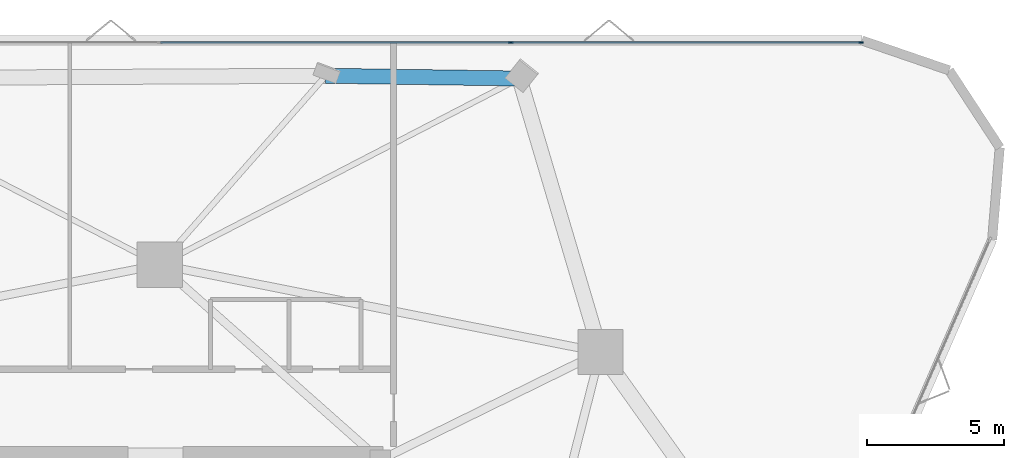
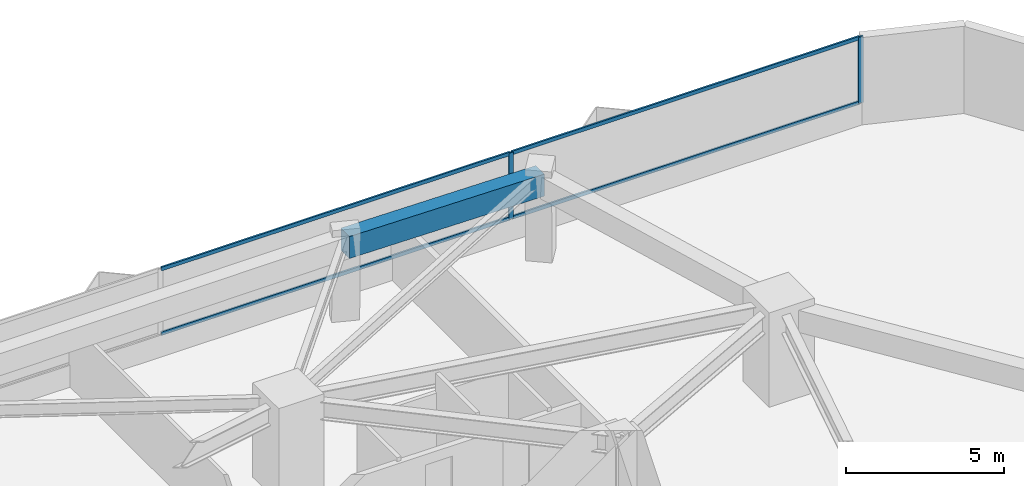
# One storey, part 10 of 16: 6 members, 1 beam, 1 element without a shape of its own.
"""IFC4 building model written with IfcOpenShell, lengths in metres."""

import ifcopenshell
import ifcopenshell.guid

model = None  # the IFC model being written
_history = None  # IfcOwnerHistory: only IFC2X3 demands one
_inside = {}  # id of a spatial element -> (the spatial element, [elements in it])
_under = {}  # id of a project, library or spatial element -> (it, [spatial elements below it])
_declared = {}  # id of a project -> (the project, [libraries it declares])
_typed = {}  # id of a type object -> (the type object, [elements of that type])
_made_of = {}  # id of a material, layer set ... -> (it, [elements and type objects made of it])


def new_model(schema):
    """Start an empty IFC model of exactly this schema.

    Asked for "IFC4X3", IfcOpenShell would pick the latest addendum, in which some entities
    have other attributes; the version numbers below select the first issue.
    IFC2X3 requires an IfcOwnerHistory on every rooted entity: one is made here for all.
    """
    global model, _history
    if schema == "IFC4X3":
        model = ifcopenshell.file(schema_version=(4, 3, 0, 0))
    else:
        model = ifcopenshell.file(schema=schema)
    _inside.clear()
    _under.clear()
    _declared.clear()
    _typed.clear()
    _made_of.clear()
    _history = None
    if model.schema == "IFC2X3":
        org = make("IfcOrganization", Name="unknown")
        user = make(
            "IfcPersonAndOrganization",
            ThePerson=make("IfcPerson", FamilyName="unknown"),
            TheOrganization=org,
        )
        app = make(
            "IfcApplication",
            ApplicationDeveloper=org,
            Version="unknown",
            ApplicationFullName="unknown",
            ApplicationIdentifier="unknown",
        )
        _history = make(
            "IfcOwnerHistory",
            OwningUser=user,
            OwningApplication=app,
            ChangeAction="ADDED",
            CreationDate=0,
        )
    return model


def make(cls, **values):
    """One entity of the class cls with the attributes given. An attribute that is None is left unset."""
    return model.create_entity(
        cls, **{name: value for name, value in values.items() if value is not None}
    )


def rooted(cls, **values):
    """An entity with a GlobalId (a new one), such as an element, a storey or a relation."""
    return make(cls, GlobalId=ifcopenshell.guid.new(), OwnerHistory=_history, **values)


def si_unit(unit_type, name, prefix=None):
    """IfcSIUnit, for example si_unit("LENGTHUNIT", "METRE", prefix="MILLI")."""
    return make("IfcSIUnit", UnitType=unit_type, Prefix=prefix, Name=name)


def assignment(units):
    """IfcUnitAssignment: the units of a project."""
    return None if units is None else make("IfcUnitAssignment", Units=units)


def point(xyz):
    """IfcCartesianPoint."""
    return None if xyz is None else make("IfcCartesianPoint", Coordinates=xyz)


def direction(xyz):
    """IfcDirection."""
    return None if xyz is None else make("IfcDirection", DirectionRatios=xyz)


def frame(location, z_axis=None, x_axis=None):
    """IfcAxis2Placement3D, a coordinate frame: its origin and axes. An axis left out is left unset."""
    return make(
        "IfcAxis2Placement3D",
        Location=point(location),
        Axis=direction(z_axis),
        RefDirection=direction(x_axis),
    )


def frame_2d(location, x_axis=None):
    """IfcAxis2Placement2D, a coordinate frame in the plane: its origin and x axis."""
    return make(
        "IfcAxis2Placement2D", Location=point(location), RefDirection=direction(x_axis)
    )


def origin():
    """The frame at (0, 0, 0) with its axes left unset."""
    return frame((0.0, 0.0, 0.0))


def origin_2d():
    """The frame at (0, 0) in the plane with its x axis left unset."""
    return frame_2d((0.0, 0.0))


def place(relative_to, where):
    """IfcLocalPlacement: puts the frame where relative to a parent placement (None: the world)."""
    return make(
        "IfcLocalPlacement", PlacementRelTo=relative_to, RelativePlacement=where
    )


def context(
    kind, dimensions, precision=None, world=None, true_north=None, identifier=None
):
    """IfcGeometricRepresentationContext, for example the 3D "Model" context."""
    return make(
        "IfcGeometricRepresentationContext",
        ContextIdentifier=identifier,
        ContextType=kind,
        CoordinateSpaceDimension=dimensions,
        Precision=precision,
        WorldCoordinateSystem=world,
        TrueNorth=true_north,
    )


def subcontext(parent, identifier, kind, view, scale=None):
    """IfcGeometricRepresentationSubContext, for example "Body" below "Model"."""
    return make(
        "IfcGeometricRepresentationSubContext",
        ContextIdentifier=identifier,
        ContextType=kind,
        ParentContext=parent,
        TargetScale=scale,
        TargetView=view,
    )


def project(units=None, contexts=None):
    """IfcProject with its units and contexts."""
    return rooted(
        "IfcProject",
        Name="project",
        RepresentationContexts=contexts,
        UnitsInContext=assignment(units),
    )


def spatial(cls, under=None, at=None, **own):
    """A site, building, storey or space (cls), placed at a placement, below another one or the project."""
    s = rooted(cls, ObjectPlacement=at, **own)
    if under is not None:
        _under.setdefault(under.id(), (under, []))[1].append(s)
    return s


def profile(cls, at=None, kind="AREA", **sizes):
    """A parametric profile (cls). Its sizes go by their IFC names, for example OverallWidth=200.0."""
    return make(cls, ProfileType=kind, Position=at, **sizes)


def rectangle(**sizes):
    """IfcRectangleProfileDef."""
    return profile("IfcRectangleProfileDef", **sizes)


def extrude(swept, where, along, depth):
    """IfcExtrudedAreaSolid: the profile swept, set in the frame where, extruded along a direction by depth."""
    return make(
        "IfcExtrudedAreaSolid",
        SweptArea=swept,
        Position=where,
        ExtrudedDirection=direction(along),
        Depth=depth,
    )


def shape(context_of_items, identifier, shape_type, items):
    """IfcShapeRepresentation: the items that make up one representation, for example the "Body"."""
    return make(
        "IfcShapeRepresentation",
        ContextOfItems=context_of_items,
        RepresentationIdentifier=identifier,
        RepresentationType=shape_type,
        Items=items,
    )


def material(Name=None, Category=None):
    """IfcMaterial."""
    return make("IfcMaterial", Name=Name, Category=Category)


def layer(
    of_material, thickness, ventilated=None, Name=None, Category=None, Priority=None
):
    """IfcMaterialLayer: one layer of a wall or slab, of a material (None: an air gap)."""
    return make(
        "IfcMaterialLayer",
        Material=of_material,
        LayerThickness=thickness,
        IsVentilated=ventilated,
        Name=Name,
        Category=Category,
        Priority=Priority,
    )


def layer_set(layers, Name=None):
    """IfcMaterialLayerSet."""
    return make("IfcMaterialLayerSet", MaterialLayers=layers, LayerSetName=Name)


def material_profile(
    of_material, cross_section, Name=None, Category=None, Priority=None
):
    """IfcMaterialProfile: a cross section and its material."""
    return make(
        "IfcMaterialProfile",
        Name=Name,
        Material=of_material,
        Profile=cross_section,
        Priority=Priority,
        Category=Category,
    )


def profile_set(profiles, Name=None, composite=None):
    """IfcMaterialProfileSet."""
    return make(
        "IfcMaterialProfileSet",
        Name=Name,
        MaterialProfiles=profiles,
        CompositeProfile=composite,
    )


def made_of(thing, what):
    """Note that an element or type object is made of a material, layer set ...; save() writes the relation."""
    if what is not None:
        _made_of.setdefault(what.id(), (what, []))[1].append(thing)
    return thing


def type_object(cls, material=None, **own):
    """A type object (cls), such as IfcWallType, which elements share."""
    return made_of(rooted(cls, **own), material)


def element(
    cls,
    number,
    at=None,
    inside=None,
    cuts=None,
    type_object=None,
    material=None,
    context=None,
    identifier="Body",
    shape_type=None,
    held_by="IfcProductDefinitionShape",
    body=None,
    shapes=None,
    **own,
):
    """One element of the class cls, such as IfcWall. Its Tag is "e" and its number.

    at: its placement. inside: the storey or other place that contains it. cuts: it is an
    opening in that element (IfcRelVoidsElement). A single representation is given by context,
    identifier, shape_type and body (its items); several are given by shapes. held_by: the class
    of the entity that holds the representations. save() writes the other relations.
    """
    e = rooted(cls, Tag="e%d" % number, ObjectPlacement=at, **own)
    if body is not None:
        shapes = [shape(context, identifier, shape_type, body)]
    if shapes is not None:
        e.Representation = make(held_by, Representations=shapes)
    if inside is not None:
        _inside.setdefault(inside.id(), (inside, []))[1].append(e)
    if cuts is not None:
        rooted(
            "IfcRelVoidsElement", RelatingBuildingElement=cuts, RelatedOpeningElement=e
        )
    if type_object is not None:
        _typed.setdefault(type_object.id(), (type_object, []))[1].append(e)
    return made_of(e, material)


def aggregate(whole, parts):
    """IfcRelAggregates: a whole, such as a stair, and the parts it consists of."""
    return rooted("IfcRelAggregates", RelatingObject=whole, RelatedObjects=parts)


def save(model, path):
    """Write the relations noted so far, then the file.

    IfcRelAggregates (storeys below a building ...), IfcRelContainedInSpatialStructure (elements
    in a storey), IfcRelDefinesByType, IfcRelAssociatesMaterial and IfcRelDeclares: one each for
    every whole, place, type object, material and project.
    """
    for whole, parts in _under.values():
        aggregate(whole, parts)
    for where, things in _inside.values():
        rooted(
            "IfcRelContainedInSpatialStructure",
            RelatedElements=things,
            RelatingStructure=where,
        )
    for kind, things in _typed.values():
        rooted("IfcRelDefinesByType", RelatedObjects=things, RelatingType=kind)
    for what, things in _made_of.values():
        rooted("IfcRelAssociatesMaterial", RelatedObjects=things, RelatingMaterial=what)
    for by, libraries in _declared.values():
        rooted("IfcRelDeclares", RelatingContext=by, RelatedDefinitions=libraries)
    model.write(path)


model = new_model("IFC4")

# Units and contexts
model_context = context("Model", 3, precision=1e-05, world=origin(), true_north=direction((0.0, 1.0)))
body_context = subcontext(model_context, "Body", "Model", "MODEL_VIEW")
ifc_project = project(units=[si_unit("LENGTHUNIT", "METRE"), si_unit("AREAUNIT", "SQUARE_METRE"), si_unit("VOLUMEUNIT", "CUBIC_METRE"), si_unit("PLANEANGLEUNIT", "RADIAN"), si_unit("MASSUNIT", "GRAM", prefix="KILO")], contexts=[model_context])

# Site, building, storey
site_placement = place(None, origin())
site = spatial("IfcSite", under=ifc_project, at=site_placement, CompositionType="ELEMENT")
building_placement = place(site_placement, origin())
building = spatial("IfcBuilding", under=site, at=building_placement, Name="Talyreon Biosciences Tower", CompositionType="ELEMENT")
storey_placement = place(building_placement, frame((0.0, 0.0, 107.85009765625)))
storey = spatial("IfcBuildingStorey", under=building, at=storey_placement, Name="L28", CompositionType="ELEMENT", Elevation=107.85009765625)

# Curtain wall, members
ifc_material_1 = material(Name="Thermally broken aluminium and low-E glazing", Category="aluminium")
ifc_layer = layer(ifc_material_1, 0.18994140625)
ifc_layer_set = layer_set([ifc_layer], Name="Thermally broken aluminium and low-E glazing")
curtain_wall_type = type_object("IfcCurtainWallType", Name="CurtainWall_Zone2Genomics", PredefinedType="NOTDEFINED", material=ifc_layer_set)
curtain_wall_placement = place(storey_placement, origin())
curtain_wall = element("IfcCurtainWall", 1, at=curtain_wall_placement, inside=storey, type_object=curtain_wall_type, Name="L28 Unitised Curtain Wall FCW-L28-04", PredefinedType="NOTDEFINED")
ifc_material_2 = material(Name="Anodised thermally broken aluminium", Category="aluminium")
ifc_material_profile_1 = material_profile(ifc_material_2, rectangle(XDim=0.06494140625, YDim=0.179931640625, at=origin_2d()), Name="ALUM MULLION 65x180")
ifc_profile_set_1 = profile_set([ifc_material_profile_1], Name="Anodised thermally broken aluminium")
member_type_1 = type_object("IfcMemberType", Name="CWMullion_65x180", PredefinedType="MULLION", material=ifc_profile_set_1)
member_1_placement = place(storey_placement, frame((78.826904296875, 89.906494140625, 0.809814453125), z_axis=(0.0, 0.0, 1.0), x_axis=(0.0, 1.0, 0.0)))
member_1 = element("IfcMember", 2, at=member_1_placement, type_object=member_type_1, Name="CW3 mullion 4", PredefinedType="MULLION", context=body_context, shape_type="SweptSolid", body=[
    extrude(rectangle(XDim=0.06494140625, YDim=0.179931640625, at=origin_2d()), origin(), (0.0, 0.0, 1.0), 2.565185546875),
])
member_2_placement = place(storey_placement, frame((91.621337890625, 89.906494140625, 0.809814453125), z_axis=(0.0, 0.0, 1.0), x_axis=(0.0, 1.0, 0.0)))
member_2 = element("IfcMember", 3, at=member_2_placement, type_object=member_type_1, Name="CW3 mullion 5", PredefinedType="MULLION", context=body_context, shape_type="SweptSolid", body=[
    extrude(rectangle(XDim=0.06494140625, YDim=0.179931640625, at=origin_2d()), origin(), (0.0, 0.0, 1.0), 2.565185546875),
])
ifc_material_profile_2 = material_profile(ifc_material_2, rectangle(XDim=0.06494140625, YDim=0.139892578125, at=origin_2d()), Name="ALUM TRANSOM 65x140")
ifc_profile_set_2 = profile_set([ifc_material_profile_2], Name="Anodised thermally broken aluminium")
member_type_2 = type_object("IfcMemberType", Name="CWTransom_65x140", PredefinedType="USERDEFINED", material=ifc_profile_set_2)
member_3_placement = place(storey_placement, frame((66.032470703125, 89.906494140625, 0.84228515625), z_axis=(1.0, 0.0, 0.0), x_axis=(0.0, 1.0, 0.0)))
member_3 = element("IfcMember", 4, at=member_3_placement, type_object=member_type_2, Name="CW3 transom 3.1", ObjectType="TRANSOM", PredefinedType="USERDEFINED", context=body_context, shape_type="SweptSolid", body=[
    extrude(rectangle(XDim=0.06494140625, YDim=0.139892578125, at=origin_2d()), origin(), (0.0, 0.0, 1.0), 12.761962890625),
])
member_4_placement = place(storey_placement, frame((66.032470703125, 89.906494140625, 3.34228515625), z_axis=(1.0, 0.0, 0.0), x_axis=(0.0, 1.0, 0.0)))
member_4 = element("IfcMember", 5, at=member_4_placement, type_object=member_type_2, Name="CW3 transom 3.2", ObjectType="TRANSOM", PredefinedType="USERDEFINED", context=body_context, shape_type="SweptSolid", body=[
    extrude(rectangle(XDim=0.06494140625, YDim=0.139892578125, at=origin_2d()), origin(), (0.0, 0.0, 1.0), 12.761962890625),
])
member_5_placement = place(storey_placement, frame((78.859375, 89.906494140625, 0.84228515625), z_axis=(1.0, 0.0, 0.0), x_axis=(0.0, 1.0, 0.0)))
member_5 = element("IfcMember", 6, at=member_5_placement, type_object=member_type_2, Name="CW3 transom 4.1", ObjectType="TRANSOM", PredefinedType="USERDEFINED", context=body_context, shape_type="SweptSolid", body=[
    extrude(rectangle(XDim=0.06494140625, YDim=0.139892578125, at=origin_2d()), origin(), (0.0, 0.0, 1.0), 12.7294921875),
])
member_6_placement = place(storey_placement, frame((78.859375, 89.906494140625, 3.34228515625), z_axis=(1.0, 0.0, 0.0), x_axis=(0.0, 1.0, 0.0)))
member_6 = element("IfcMember", 7, at=member_6_placement, type_object=member_type_2, Name="CW3 transom 4.2", ObjectType="TRANSOM", PredefinedType="USERDEFINED", context=body_context, shape_type="SweptSolid", body=[
    extrude(rectangle(XDim=0.06494140625, YDim=0.139892578125, at=origin_2d()), origin(), (0.0, 0.0, 1.0), 12.7294921875),
])
aggregate(curtain_wall, [member_1, member_2, member_3, member_4, member_5, member_6])

# Beam
ifc_material_3 = material(Name="Precast concrete C45/55", Category="concrete")
ifc_material_profile_3 = material_profile(ifc_material_3, rectangle(XDim=0.550048828125, YDim=0.85009765625, at=origin_2d()), Name="RCB 550x850")
ifc_profile_set_3 = profile_set([ifc_material_profile_3], Name="Precast concrete C45/55")
beam_type = type_object("IfcBeamType", Name="ExpressedSpandrel_550x850", PredefinedType="SPANDREL", material=ifc_profile_set_3)
beam_placement = place(storey_placement, frame((79.14404296875, 88.592041015625, 2.949951171875), z_axis=(-0.999900005493, 0.014141393662, 0.0), x_axis=(-0.014141393662, -0.999900005493, 0.0)))
element("IfcBeam", 8, at=beam_placement, inside=storey, type_object=beam_type, Name="L28 Expressed Horizontal Concrete Spandrel 06", PredefinedType="SPANDREL", context=body_context, shape_type="SweptSolid", body=[
    extrude(rectangle(XDim=0.550048828125, YDim=0.85009765625, at=origin_2d()), origin(), (0.0, 0.0, 1.0), 7.078369140625),
])

save(model, "model.ifc")
